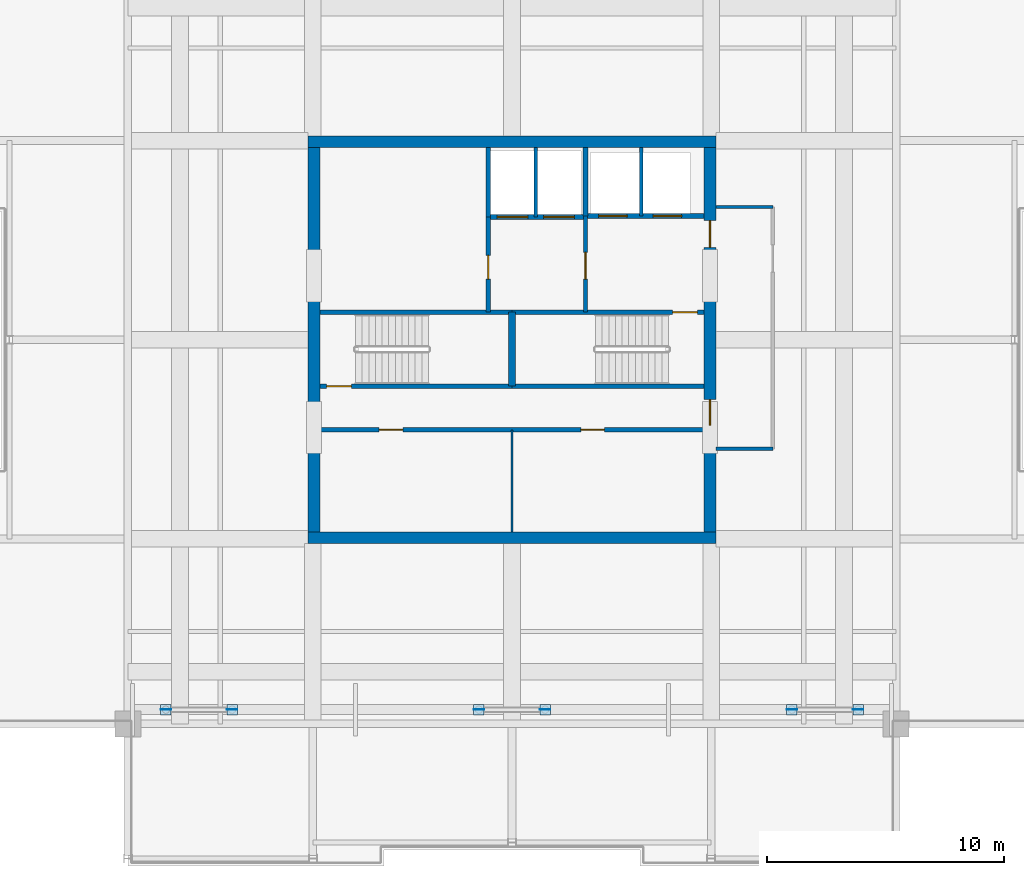
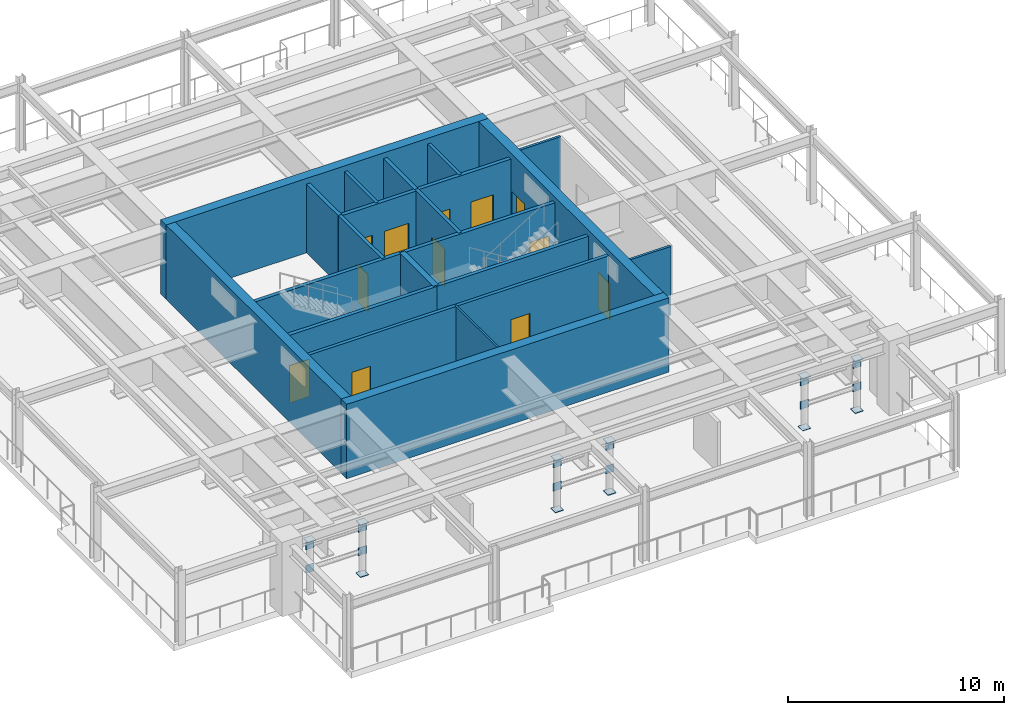
# One storey, part 8 of 12: 23 plates, 21 walls, 12 doors, 12 openings.
"""IFC4 building model written with IfcOpenShell, lengths in metres."""

from ifc_helpers import new_model, si_unit, direction, frame, frame_2d, origin, origin_2d, place, context, subcontext, project, spatial, rectangle, extrude, material, layer, layer_set, type_object, element, fill, save


model = new_model("IFC4")

# Units and contexts
model_context = context("Model", 3, precision=1e-05, world=origin(), true_north=direction((0.0, 1.0)))
body_context = subcontext(model_context, "Body", "Model", "MODEL_VIEW")
ifc_project = project(units=[si_unit("LENGTHUNIT", "METRE"), si_unit("AREAUNIT", "SQUARE_METRE"), si_unit("VOLUMEUNIT", "CUBIC_METRE"), si_unit("PLANEANGLEUNIT", "RADIAN"), si_unit("MASSUNIT", "GRAM", prefix="KILO")], contexts=[model_context])

# Site, building, storey
site_placement = place(None, origin())
site = spatial("IfcSite", under=ifc_project, at=site_placement, CompositionType="ELEMENT")
building_placement = place(site_placement, origin())
building = spatial("IfcBuilding", under=site, at=building_placement, Name="Drelvath Grand Hotel", CompositionType="ELEMENT")
storey_placement = place(building_placement, frame((0.0, 0.0, 307.199951171875)))
storey = spatial("IfcBuildingStorey", under=building, at=storey_placement, Name="L80", CompositionType="ELEMENT", Elevation=307.199951171875)

# Plates
ifc_material_1 = material(Name="Steel ASTM A572 Gr 50", Category="steel")
ifc_layer_1 = layer(ifc_material_1, 0.02490234375)
ifc_layer_set_1 = layer_set([ifc_layer_1], Name="Steel ASTM A572 Gr 50")
plate_type = type_object("IfcPlateType", Name="Hollow Section End Cap Plate 25mm", PredefinedType="SHEET", material=ifc_layer_set_1)
for number, where, z_axis, x_axis, name in (
    (1, (-14.60009765625, 11.39990234375, 1.0966796875), (0.0, 0.0, 1.0), (1.0, 0.0, 0.0), "L80 Wind Turbine Hub Node Plate WT-1-L"),
    (2, (-14.60009765625, 11.39990234375, 2.41357421875), (0.0, 0.0, 1.0), (1.0, 0.0, 0.0), "L80 Wind Turbine Ring Node Plate WT-1-L"),
):
    element("IfcPlate", number, at=place(storey_placement, frame(where, z_axis=z_axis, x_axis=x_axis)), inside=storey, type_object=plate_type, Name=name, PredefinedType="SHEET", context=body_context, shape_type="SweptSolid", body=[
        extrude(rectangle(XDim=0.43994140625, YDim=0.02490234375, at=origin_2d()), origin(), (0.0, 0.0, 1.0), 0.43994140625),
    ])
for number, where, z_axis, x_axis, name in (
    (3, (-14.60009765625, 11.39990234375, 2.926025390625), (0.0, 0.0, 1.0), (1.0, 0.0, 0.0), "L80 Wind Turbine Post Cap WT-1-L"),
    (4, (-11.800048828125, 11.39990234375, 0.002685546875), (0.0, 0.0, 1.0), (1.0, 0.0, 0.0), "L80 Wind Turbine Pedestal Base Plate WT-1-R"),
):
    element("IfcPlate", number, at=place(storey_placement, frame(where, z_axis=z_axis, x_axis=x_axis)), inside=storey, type_object=plate_type, Name=name, PredefinedType="SHEET", context=body_context, shape_type="SweptSolid", body=[
        extrude(rectangle(XDim=0.43994140625, YDim=0.43994140625, at=origin_2d()), origin(), (0.0, 0.0, 1.0), 0.02490234375),
    ])
for number, where, z_axis, x_axis, name in (
    (5, (-11.800048828125, 11.39990234375, 1.0966796875), (0.0, 0.0, 1.0), (1.0, 0.0, 0.0), "L80 Wind Turbine Hub Node Plate WT-1-R"),
    (6, (-11.800048828125, 11.39990234375, 2.41357421875), (0.0, 0.0, 1.0), (1.0, 0.0, 0.0), "L80 Wind Turbine Ring Node Plate WT-1-R"),
):
    element("IfcPlate", number, at=place(storey_placement, frame(where, z_axis=z_axis, x_axis=x_axis)), inside=storey, type_object=plate_type, Name=name, PredefinedType="SHEET", context=body_context, shape_type="SweptSolid", body=[
        extrude(rectangle(XDim=0.43994140625, YDim=0.02490234375, at=origin_2d()), origin(), (0.0, 0.0, 1.0), 0.43994140625),
    ])
for number, where, z_axis, x_axis, name in (
    (7, (-11.800048828125, 11.39990234375, 2.926025390625), (0.0, 0.0, 1.0), (1.0, 0.0, 0.0), "L80 Wind Turbine Post Cap WT-1-R"),
    (8, (-1.39990234375, 11.39990234375, 0.002685546875), (0.0, 0.0, 1.0), (1.0, 0.0, 0.0), "L80 Wind Turbine Pedestal Base Plate WT-2-L"),
):
    element("IfcPlate", number, at=place(storey_placement, frame(where, z_axis=z_axis, x_axis=x_axis)), inside=storey, type_object=plate_type, Name=name, PredefinedType="SHEET", context=body_context, shape_type="SweptSolid", body=[
        extrude(rectangle(XDim=0.43994140625, YDim=0.43994140625, at=origin_2d()), origin(), (0.0, 0.0, 1.0), 0.02490234375),
    ])
for number, where, z_axis, x_axis, name in (
    (9, (-1.39990234375, 11.39990234375, 1.0966796875), (0.0, 0.0, 1.0), (1.0, 0.0, 0.0), "L80 Wind Turbine Hub Node Plate WT-2-L"),
    (10, (-1.39990234375, 11.39990234375, 2.41357421875), (0.0, 0.0, 1.0), (1.0, 0.0, 0.0), "L80 Wind Turbine Ring Node Plate WT-2-L"),
):
    element("IfcPlate", number, at=place(storey_placement, frame(where, z_axis=z_axis, x_axis=x_axis)), inside=storey, type_object=plate_type, Name=name, PredefinedType="SHEET", context=body_context, shape_type="SweptSolid", body=[
        extrude(rectangle(XDim=0.43994140625, YDim=0.02490234375, at=origin_2d()), origin(), (0.0, 0.0, 1.0), 0.43994140625),
    ])
for number, where, z_axis, x_axis, name in (
    (11, (-1.39990234375, 11.39990234375, 2.926025390625), (0.0, 0.0, 1.0), (1.0, 0.0, 0.0), "L80 Wind Turbine Post Cap WT-2-L"),
    (12, (1.39990234375, 11.39990234375, 0.002685546875), (0.0, 0.0, 1.0), (1.0, 0.0, 0.0), "L80 Wind Turbine Pedestal Base Plate WT-2-R"),
):
    element("IfcPlate", number, at=place(storey_placement, frame(where, z_axis=z_axis, x_axis=x_axis)), inside=storey, type_object=plate_type, Name=name, PredefinedType="SHEET", context=body_context, shape_type="SweptSolid", body=[
        extrude(rectangle(XDim=0.43994140625, YDim=0.43994140625, at=origin_2d()), origin(), (0.0, 0.0, 1.0), 0.02490234375),
    ])
for number, where, z_axis, x_axis, name in (
    (13, (1.39990234375, 11.39990234375, 1.0966796875), (0.0, 0.0, 1.0), (1.0, 0.0, 0.0), "L80 Wind Turbine Hub Node Plate WT-2-R"),
    (14, (1.39990234375, 11.39990234375, 2.41357421875), (0.0, 0.0, 1.0), (1.0, 0.0, 0.0), "L80 Wind Turbine Ring Node Plate WT-2-R"),
):
    element("IfcPlate", number, at=place(storey_placement, frame(where, z_axis=z_axis, x_axis=x_axis)), inside=storey, type_object=plate_type, Name=name, PredefinedType="SHEET", context=body_context, shape_type="SweptSolid", body=[
        extrude(rectangle(XDim=0.43994140625, YDim=0.02490234375, at=origin_2d()), origin(), (0.0, 0.0, 1.0), 0.43994140625),
    ])
for number, where, z_axis, x_axis, name in (
    (15, (1.39990234375, 11.39990234375, 2.926025390625), (0.0, 0.0, 1.0), (1.0, 0.0, 0.0), "L80 Wind Turbine Post Cap WT-2-R"),
    (16, (11.800048828125, 11.39990234375, 0.002685546875), (0.0, 0.0, 1.0), (1.0, 0.0, 0.0), "L80 Wind Turbine Pedestal Base Plate WT-3-L"),
):
    element("IfcPlate", number, at=place(storey_placement, frame(where, z_axis=z_axis, x_axis=x_axis)), inside=storey, type_object=plate_type, Name=name, PredefinedType="SHEET", context=body_context, shape_type="SweptSolid", body=[
        extrude(rectangle(XDim=0.43994140625, YDim=0.43994140625, at=origin_2d()), origin(), (0.0, 0.0, 1.0), 0.02490234375),
    ])
for number, where, z_axis, x_axis, name in (
    (17, (11.800048828125, 11.39990234375, 1.0966796875), (0.0, 0.0, 1.0), (1.0, 0.0, 0.0), "L80 Wind Turbine Hub Node Plate WT-3-L"),
    (18, (11.800048828125, 11.39990234375, 2.41357421875), (0.0, 0.0, 1.0), (1.0, 0.0, 0.0), "L80 Wind Turbine Ring Node Plate WT-3-L"),
):
    element("IfcPlate", number, at=place(storey_placement, frame(where, z_axis=z_axis, x_axis=x_axis)), inside=storey, type_object=plate_type, Name=name, PredefinedType="SHEET", context=body_context, shape_type="SweptSolid", body=[
        extrude(rectangle(XDim=0.43994140625, YDim=0.02490234375, at=origin_2d()), origin(), (0.0, 0.0, 1.0), 0.43994140625),
    ])
for number, where, z_axis, x_axis, name in (
    (19, (11.800048828125, 11.39990234375, 2.926025390625), (0.0, 0.0, 1.0), (1.0, 0.0, 0.0), "L80 Wind Turbine Post Cap WT-3-L"),
    (20, (14.60009765625, 11.39990234375, 0.002685546875), (0.0, 0.0, 1.0), (1.0, 0.0, 0.0), "L80 Wind Turbine Pedestal Base Plate WT-3-R"),
):
    element("IfcPlate", number, at=place(storey_placement, frame(where, z_axis=z_axis, x_axis=x_axis)), inside=storey, type_object=plate_type, Name=name, PredefinedType="SHEET", context=body_context, shape_type="SweptSolid", body=[
        extrude(rectangle(XDim=0.43994140625, YDim=0.43994140625, at=origin_2d()), origin(), (0.0, 0.0, 1.0), 0.02490234375),
    ])
for number, where, z_axis, x_axis, name in (
    (21, (14.60009765625, 11.39990234375, 1.0966796875), (0.0, 0.0, 1.0), (1.0, 0.0, 0.0), "L80 Wind Turbine Hub Node Plate WT-3-R"),
    (22, (14.60009765625, 11.39990234375, 2.41357421875), (0.0, 0.0, 1.0), (1.0, 0.0, 0.0), "L80 Wind Turbine Ring Node Plate WT-3-R"),
):
    element("IfcPlate", number, at=place(storey_placement, frame(where, z_axis=z_axis, x_axis=x_axis)), inside=storey, type_object=plate_type, Name=name, PredefinedType="SHEET", context=body_context, shape_type="SweptSolid", body=[
        extrude(rectangle(XDim=0.43994140625, YDim=0.02490234375, at=origin_2d()), origin(), (0.0, 0.0, 1.0), 0.43994140625),
    ])
plate_placement = place(storey_placement, frame((14.60009765625, 11.39990234375, 2.926025390625), z_axis=(0.0, 0.0, 1.0), x_axis=(1.0, 0.0, 0.0)))
element("IfcPlate", 23, at=plate_placement, inside=storey, type_object=plate_type, Name="L80 Wind Turbine Post Cap WT-3-R", PredefinedType="SHEET", context=body_context, shape_type="SweptSolid", body=[
    extrude(rectangle(XDim=0.43994140625, YDim=0.43994140625, at=origin_2d()), origin(), (0.0, 0.0, 1.0), 0.02490234375),
])

# Wall
ifc_material_2 = material(Name="Gypsum Partition Board")
ifc_layer_2 = layer(ifc_material_2, 0.10009765625)
ifc_layer_set_2 = layer_set([ifc_layer_2], Name="Gypsum Partition Board")
wall_type_1 = type_object("IfcWallType", Name="Core Closet Partition 100", PredefinedType="PARTITIONING", material=ifc_layer_set_2)
wall_1_placement = place(storey_placement, frame((0.0, 18.89990234375, 0.0), z_axis=(0.0, 0.0, 1.0), x_axis=(0.0, 1.0, 0.0)))
element("IfcWall", 24, at=wall_1_placement, inside=storey, type_object=wall_type_1, Name="L80 Crown Core Split", PredefinedType="PARTITIONING", context=body_context, shape_type="SweptSolid", body=[
    extrude(rectangle(XDim=4.300048828125, YDim=0.10009765625, at=frame_2d((2.14990234375, 0.0))), origin(), (0.0, 0.0, 1.0), 3.880126953125),
])

# Wall, openings, doors
ifc_material_3 = material(Name="Concrete C40/50", Category="concrete")
ifc_layer_3 = layer(ifc_material_3, 0.199951171875)
ifc_layer_set_3 = layer_set([ifc_layer_3], Name="Concrete C40/50")
wall_type_2 = type_object("IfcWallType", Name="Core Hoistway Fire Wall 200", PredefinedType="SOLIDWALL", material=ifc_layer_set_3)
wall_2_placement = place(storey_placement, frame((3.10009765625, 32.219970703125, 0.0), z_axis=(0.0, 0.0, 1.0), x_axis=(1.0, 0.0, 0.0)))
wall_2 = element("IfcWall", 25, at=wall_2_placement, inside=storey, type_object=wall_type_2, Name="L80 FSAE Hoistway Front Wall", PredefinedType="SOLIDWALL", context=body_context, shape_type="SweptSolid", body=[
    extrude(rectangle(XDim=5.0, YDim=0.199951171875, at=frame_2d((2.5, 0.0))), origin(), (0.0, 0.0, 1.0), 3.880126953125),
])
opening_1_placement = place(wall_2_placement, frame((0.550048828125, 0.0, 0.0)))
opening_1 = element("IfcOpeningElement", 26, at=opening_1_placement, cuts=wall_2, Name="Opening LD-FSAE-1", PredefinedType="OPENING", context=body_context, shape_type="SweptSolid", body=[
    extrude(rectangle(XDim=1.199951171875, YDim=2.199951171875, at=frame_2d((0.60009765625, 1.10009765625))), frame((0.0, 0.10986328125, 0.0), z_axis=(0.0, -1.0, 0.0), x_axis=(1.0, 0.0, 0.0)), (0.0, 0.0, 1.0), 0.219970703125),
])
opening_2_placement = place(wall_2_placement, frame((2.85009765625, 0.0, 0.0)))
opening_2 = element("IfcOpeningElement", 27, at=opening_2_placement, cuts=wall_2, Name="Opening LD-FSAE-2", PredefinedType="OPENING", context=body_context, shape_type="SweptSolid", body=[
    extrude(rectangle(XDim=1.199951171875, YDim=2.199951171875, at=frame_2d((0.60009765625, 1.10009765625))), frame((0.0, 0.10986328125, 0.0), z_axis=(0.0, -1.0, 0.0), x_axis=(1.0, 0.0, 0.0)), (0.0, 0.0, 1.0), 0.219970703125),
])
ifc_material_4 = material(Name="Stainless Steel S355", Category="steel")
door_type_1 = type_object("IfcDoorType", Name="FSAE Lift Sliding Landing Door 1200x2200", OperationType="NOTDEFINED", PredefinedType="DOOR", material=ifc_material_4)
door_1_placement = place(opening_1_placement, origin())
door_1 = element("IfcDoor", 28, at=door_1_placement, inside=storey, type_object=door_type_1, Name="L80 Lift FSAE-1 Landing Door", OperationType="SLIDING_TO_LEFT", OverallHeight=2.199951171875, OverallWidth=1.199951171875, PredefinedType="DOOR", context=body_context, shape_type="SweptSolid", body=[
    extrude(rectangle(XDim=1.199951171875, YDim=2.199951171875, at=frame_2d((0.60009765625, 1.10009765625))), frame((0.0, 0.02490234375, 0.0), z_axis=(0.0, -1.0, 0.0), x_axis=(1.0, 0.0, 0.0)), (0.0, 0.0, 1.0), 0.050048828125),
])
fill(opening_1, door_1)
door_2_placement = place(opening_2_placement, origin())
door_2 = element("IfcDoor", 29, at=door_2_placement, inside=storey, type_object=door_type_1, Name="L80 Lift FSAE-2 Landing Door", OperationType="SLIDING_TO_LEFT", OverallHeight=2.199951171875, OverallWidth=1.199951171875, PredefinedType="DOOR", context=body_context, shape_type="SweptSolid", body=[
    extrude(rectangle(XDim=1.199951171875, YDim=2.199951171875, at=frame_2d((0.60009765625, 1.10009765625))), frame((0.0, 0.02490234375, 0.0), z_axis=(0.0, -1.0, 0.0), x_axis=(1.0, 0.0, 0.0)), (0.0, 0.0, 1.0), 0.050048828125),
])
fill(opening_2, door_2)

# Wall
wall_3_placement = place(storey_placement, frame((3.10009765625, 32.219970703125, 0.0), z_axis=(0.0, 0.0, 1.0), x_axis=(0.0, 1.0, 0.0)))
element("IfcWall", 30, at=wall_3_placement, inside=storey, type_object=wall_type_2, Name="L80 FSAE Hoistway West Wall", PredefinedType="SOLIDWALL", context=body_context, shape_type="SweptSolid", body=[
    extrude(rectangle(XDim=2.880126953125, YDim=0.199951171875, at=frame_2d((1.43994140625, 0.0))), origin(), (0.0, 0.0, 1.0), 3.880126953125),
])

# Wall, openings, doors
wall_4_placement = place(storey_placement, frame((-1.0, 32.179931640625, 0.0), z_axis=(0.0, 0.0, 1.0), x_axis=(1.0, 0.0, 0.0)))
wall_4 = element("IfcWall", 31, at=wall_4_placement, inside=storey, type_object=wall_type_2, Name="L80 Service Lift Hoistway Wall", PredefinedType="SOLIDWALL", context=body_context, shape_type="SweptSolid", body=[
    extrude(rectangle(XDim=4.10009765625, YDim=0.199951171875, at=frame_2d((2.050048828125, 0.0))), origin(), (0.0, 0.0, 1.0), 3.880126953125),
])
opening_3_placement = place(wall_4_placement, frame((0.3701171875, 0.0, 0.0)))
opening_3 = element("IfcOpeningElement", 32, at=opening_3_placement, cuts=wall_4, Name="Opening LD-SV-2", PredefinedType="OPENING", context=body_context, shape_type="SweptSolid", body=[
    extrude(rectangle(XDim=1.300048828125, YDim=2.199951171875, at=frame_2d((0.64990234375, 1.10009765625))), frame((0.0, 0.10986328125, 0.0), z_axis=(0.0, -1.0, 0.0), x_axis=(1.0, 0.0, 0.0)), (0.0, 0.0, 1.0), 0.219970703125),
])
opening_4_placement = place(wall_4_placement, frame((2.330078125, 0.0, 0.0)))
opening_4 = element("IfcOpeningElement", 33, at=opening_4_placement, cuts=wall_4, Name="Opening LD-SV-1", PredefinedType="OPENING", context=body_context, shape_type="SweptSolid", body=[
    extrude(rectangle(XDim=1.300048828125, YDim=2.199951171875, at=frame_2d((0.64990234375, 1.10009765625))), frame((0.0, 0.10986328125, 0.0), z_axis=(0.0, -1.0, 0.0), x_axis=(1.0, 0.0, 0.0)), (0.0, 0.0, 1.0), 0.219970703125),
])
door_type_2 = type_object("IfcDoorType", Name="Service Lift Sliding Landing Door 1300x2200", OperationType="NOTDEFINED", PredefinedType="DOOR", material=ifc_material_4)
door_3_placement = place(opening_3_placement, origin())
door_3 = element("IfcDoor", 34, at=door_3_placement, inside=storey, type_object=door_type_2, Name="L80 Lift SV-2 Landing Door", OperationType="SLIDING_TO_LEFT", OverallHeight=2.199951171875, OverallWidth=1.300048828125, PredefinedType="DOOR", context=body_context, shape_type="SweptSolid", body=[
    extrude(rectangle(XDim=1.300048828125, YDim=2.199951171875, at=frame_2d((0.64990234375, 1.10009765625))), frame((0.0, 0.02490234375, 0.0), z_axis=(0.0, -1.0, 0.0), x_axis=(1.0, 0.0, 0.0)), (0.0, 0.0, 1.0), 0.050048828125),
])
fill(opening_3, door_3)
door_4_placement = place(opening_4_placement, origin())
door_4 = element("IfcDoor", 35, at=door_4_placement, inside=storey, type_object=door_type_2, Name="L80 Lift SV-1 Landing Door", OperationType="SLIDING_TO_LEFT", OverallHeight=2.199951171875, OverallWidth=1.300048828125, PredefinedType="DOOR", context=body_context, shape_type="SweptSolid", body=[
    extrude(rectangle(XDim=1.300048828125, YDim=2.199951171875, at=frame_2d((0.64990234375, 1.10009765625))), frame((0.0, 0.02490234375, 0.0), z_axis=(0.0, -1.0, 0.0), x_axis=(1.0, 0.0, 0.0)), (0.0, 0.0, 1.0), 0.050048828125),
])
fill(opening_4, door_4)

# Wall
wall_5_placement = place(storey_placement, frame((-1.0, 32.179931640625, 0.0), z_axis=(0.0, 0.0, 1.0), x_axis=(0.0, 1.0, 0.0)))
element("IfcWall", 36, at=wall_5_placement, inside=storey, type_object=wall_type_2, Name="L80 Service Lift West Wall", PredefinedType="SOLIDWALL", context=body_context, shape_type="SweptSolid", body=[
    extrude(rectangle(XDim=2.920166015625, YDim=0.199951171875, at=frame_2d((1.4599609375, 0.0))), origin(), (0.0, 0.0, 1.0), 3.880126953125),
])

# Wall, opening, door
ifc_layer_4 = layer(ifc_material_3, 0.199951171875)
ifc_layer_set_4 = layer_set([ifc_layer_4], Name="Concrete C40/50")
wall_type_3 = type_object("IfcWallType", Name="Core Shaft Fire Wall 200", PredefinedType="SOLIDWALL", material=ifc_layer_set_4)
wall_6_placement = place(storey_placement, frame((-8.10009765625, 25.0400390625, 0.0), z_axis=(0.0, 0.0, 1.0), x_axis=(1.0, 0.0, 0.0)))
wall_6 = element("IfcWall", 37, at=wall_6_placement, inside=storey, type_object=wall_type_3, Name="L80 Stair ST-1 South Wall", PredefinedType="SOLIDWALL", context=body_context, shape_type="SweptSolid", body=[
    extrude(rectangle(XDim=8.10009765625, YDim=0.199951171875, at=frame_2d((4.050048828125, 0.0))), origin(), (0.0, 0.0, 1.0), 3.880126953125),
])
opening_5_placement = place(wall_6_placement, frame((0.280029296875, 0.0, 0.0)))
opening_5 = element("IfcOpeningElement", 38, at=opening_5_placement, cuts=wall_6, Name="Opening D-L80-001", PredefinedType="OPENING", context=body_context, shape_type="SweptSolid", body=[
    extrude(rectangle(XDim=1.050048828125, YDim=2.10009765625, at=frame_2d((0.52490234375, 1.050048828125))), frame((0.0, 0.10986328125, 0.0), z_axis=(0.0, -1.0, 0.0), x_axis=(1.0, 0.0, 0.0)), (0.0, 0.0, 1.0), 0.219970703125),
])
ifc_material_5 = material(Name="Painted Steel S275", Category="steel")
door_type_3 = type_object("IfcDoorType", Name="Tower Stairwell Fire Door 1050x2100", OperationType="NOTDEFINED", PredefinedType="DOOR", material=ifc_material_5)
door_5_placement = place(opening_5_placement, origin())
door_5 = element("IfcDoor", 39, at=door_5_placement, inside=storey, type_object=door_type_3, Name="L80 Exit Stair ST-1 Door", OperationType="SINGLE_SWING_LEFT", OverallHeight=2.10009765625, OverallWidth=1.050048828125, PredefinedType="DOOR", context=body_context, shape_type="SweptSolid", body=[
    extrude(rectangle(XDim=1.050048828125, YDim=2.10009765625, at=frame_2d((0.52490234375, 1.050048828125))), frame((0.0, 0.02490234375, 0.0), z_axis=(0.0, -1.0, 0.0), x_axis=(1.0, 0.0, 0.0)), (0.0, 0.0, 1.0), 0.050048828125),
])
fill(opening_5, door_5)

# Walls
for number, where, z_axis, x_axis, name in (
    (40, (-8.10009765625, 28.159912109375, 0.0), (0.0, 0.0, 1.0), (1.0, 0.0, 0.0), "L80 Stair ST-1 North Wall"),
    (41, (0.0, 25.0400390625, 0.0), (0.0, 0.0, 1.0), (1.0, 0.0, 0.0), "L80 Stair ST-2 South Wall"),
):
    element("IfcWall", number, at=place(storey_placement, frame(where, z_axis=z_axis, x_axis=x_axis)), inside=storey, type_object=wall_type_3, Name=name, PredefinedType="SOLIDWALL", context=body_context, shape_type="SweptSolid", body=[
        extrude(rectangle(XDim=8.10009765625, YDim=0.199951171875, at=frame_2d((4.050048828125, 0.0))), origin(), (0.0, 0.0, 1.0), 3.880126953125),
    ])

# Wall, opening, door
wall_7_placement = place(storey_placement, frame((8.10009765625, 28.159912109375, 0.0), z_axis=(0.0, 0.0, 1.0), x_axis=(-1.0, 0.0, 0.0)))
wall_7 = element("IfcWall", 42, at=wall_7_placement, inside=storey, type_object=wall_type_3, Name="L80 Stair ST-2 North Wall", PredefinedType="SOLIDWALL", context=body_context, shape_type="SweptSolid", body=[
    extrude(rectangle(XDim=8.10009765625, YDim=0.199951171875, at=frame_2d((4.050048828125, 0.0))), origin(), (0.0, 0.0, 1.0), 3.880126953125),
])
opening_6_placement = place(wall_7_placement, frame((0.280029296875, 0.0, 0.0)))
opening_6 = element("IfcOpeningElement", 43, at=opening_6_placement, cuts=wall_7, Name="Opening D-L80-002", PredefinedType="OPENING", context=body_context, shape_type="SweptSolid", body=[
    extrude(rectangle(XDim=1.050048828125, YDim=2.10009765625, at=frame_2d((0.52490234375, 1.050048828125))), frame((0.0, 0.10986328125, 0.0), z_axis=(0.0, -1.0, 0.0), x_axis=(1.0, 0.0, 0.0)), (0.0, 0.0, 1.0), 0.219970703125),
])
door_6_placement = place(opening_6_placement, origin())
door_6 = element("IfcDoor", 44, at=door_6_placement, inside=storey, type_object=door_type_3, Name="L80 Exit Stair ST-2 Door", OperationType="SINGLE_SWING_LEFT", OverallHeight=2.10009765625, OverallWidth=1.050048828125, PredefinedType="DOOR", context=body_context, shape_type="SweptSolid", body=[
    extrude(rectangle(XDim=1.050048828125, YDim=2.10009765625, at=frame_2d((0.52490234375, 1.050048828125))), frame((0.0, 0.02490234375, 0.0), z_axis=(0.0, -1.0, 0.0), x_axis=(1.0, 0.0, 0.0)), (0.0, 0.0, 1.0), 0.050048828125),
])
fill(opening_6, door_6)

# Walls
ifc_layer_5 = layer(ifc_material_3, 0.300048828125)
ifc_layer_set_5 = layer_set([ifc_layer_5], Name="Concrete C40/50")
wall_type_4 = type_object("IfcWallType", Name="Core Shaft Fire Wall 300", PredefinedType="SOLIDWALL", material=ifc_layer_set_5)
wall_8_placement = place(storey_placement, frame((0.0, 25.0400390625, 0.0), z_axis=(0.0, 0.0, 1.0), x_axis=(0.0, 1.0, 0.0)))
element("IfcWall", 45, at=wall_8_placement, inside=storey, type_object=wall_type_4, Name="L80 Core Stair Divider Wall", PredefinedType="SOLIDWALL", context=body_context, shape_type="SweptSolid", body=[
    extrude(rectangle(XDim=3.119873046875, YDim=0.300048828125, at=frame_2d((1.56005859375, 0.0))), origin(), (0.0, 0.0, 1.0), 3.880126953125),
])
ifc_material_6 = material(Name="Gypsum Fireboard Partition")
ifc_layer_6 = layer(ifc_material_6, 0.1650390625)
ifc_layer_set_6 = layer_set([ifc_layer_6], Name="Gypsum Fireboard Partition")
wall_type_5 = type_object("IfcWallType", Name="Core Shaft Partition 165", PredefinedType="PARTITIONING", material=ifc_layer_set_6)
wall_9_placement = place(storey_placement, frame((5.449951171875, 32.219970703125, 0.0), z_axis=(0.0, 0.0, 1.0), x_axis=(0.0, 1.0, 0.0)))
element("IfcWall", 46, at=wall_9_placement, inside=storey, type_object=wall_type_5, Name="L80 FSAE Hoistway Divider", PredefinedType="PARTITIONING", context=body_context, shape_type="SweptSolid", body=[
    extrude(rectangle(XDim=2.880126953125, YDim=0.1650390625, at=frame_2d((1.43994140625, 0.0))), origin(), (0.0, 0.0, 1.0), 3.880126953125),
])
wall_10_placement = place(storey_placement, frame((1.0, 32.179931640625, 0.0), z_axis=(0.0, 0.0, 1.0), x_axis=(0.0, 1.0, 0.0)))
element("IfcWall", 47, at=wall_10_placement, inside=storey, type_object=wall_type_5, Name="L80 Service Lift Divider", PredefinedType="PARTITIONING", context=body_context, shape_type="SweptSolid", body=[
    extrude(rectangle(XDim=2.920166015625, YDim=0.1650390625, at=frame_2d((1.4599609375, 0.0))), origin(), (0.0, 0.0, 1.0), 3.880126953125),
])
ifc_layer_7 = layer(ifc_material_6, 0.135009765625)
ifc_layer_set_7 = layer_set([ifc_layer_7], Name="Gypsum Fireboard Partition")
wall_type_6 = type_object("IfcWallType", Name="Corridor Fire Barrier Wall 135", PredefinedType="PARTITIONING", material=ifc_layer_set_7)
for number, where, z_axis, x_axis, name in (
    (48, (8.60009765625, 22.39990234375, 0.0), (0.0, 0.0, 1.0), (1.0, 0.0, 0.0), "L80 Turbine Vestibule South Wall"),
    (49, (8.60009765625, 32.60009765625, 0.0), (0.0, 0.0, 1.0), (1.0, 0.0, 0.0), "L80 Turbine Vestibule North Wall"),
):
    element("IfcWall", number, at=place(storey_placement, frame(where, z_axis=z_axis, x_axis=x_axis)), inside=storey, type_object=wall_type_6, Name=name, PredefinedType="PARTITIONING", context=body_context, shape_type="SweptSolid", body=[
        extrude(rectangle(XDim=2.39990234375, YDim=0.135009765625, at=frame_2d((1.199951171875, 0.0))), origin(), (0.0, 0.0, 1.0), 3.880126953125),
    ])

# Wall, opening, door
ifc_layer_8 = layer(ifc_material_6, 0.179931640625)
ifc_layer_set_8 = layer_set([ifc_layer_8], Name="Gypsum Fireboard Partition")
wall_type_7 = type_object("IfcWallType", Name="FSAE Smoke Lobby Fire Wall 180", PredefinedType="SOLIDWALL", material=ifc_layer_set_8)
wall_11_placement = place(storey_placement, frame((3.10009765625, 28.159912109375, 0.0), z_axis=(0.0, 0.0, 1.0), x_axis=(0.0, 1.0, 0.0)))
wall_11 = element("IfcWall", 50, at=wall_11_placement, inside=storey, type_object=wall_type_7, Name="L80 FSAE Smoke Lobby West Wall", PredefinedType="SOLIDWALL", context=body_context, shape_type="SweptSolid", body=[
    extrude(rectangle(XDim=4.06005859375, YDim=0.179931640625, at=frame_2d((2.030029296875, 0.0))), origin(), (0.0, 0.0, 1.0), 3.880126953125),
])
opening_7_placement = place(wall_11_placement, frame((1.39990234375, 0.0, 0.0)))
opening_7 = element("IfcOpeningElement", 51, at=opening_7_placement, cuts=wall_11, Name="Opening D-L80-005", PredefinedType="OPENING", context=body_context, shape_type="SweptSolid", body=[
    extrude(rectangle(XDim=1.1201171875, YDim=2.10009765625, at=frame_2d((0.56005859375, 1.050048828125))), frame((0.0, 0.099853515625, 0.0), z_axis=(0.0, -1.0, 0.0), x_axis=(1.0, 0.0, 0.0)), (0.0, 0.0, 1.0), 0.199951171875),
])
door_type_4 = type_object("IfcDoorType", Name="FSAE Smoke Lobby Fire Door 1120x2100", OperationType="NOTDEFINED", PredefinedType="DOOR", material=ifc_material_5)
door_7_placement = place(opening_7_placement, origin())
door_7 = element("IfcDoor", 52, at=door_7_placement, inside=storey, type_object=door_type_4, Name="L80 FSAE Lobby Service Vestibule Door", OperationType="SINGLE_SWING_RIGHT", OverallHeight=2.10009765625, OverallWidth=1.1201171875, PredefinedType="DOOR", context=body_context, shape_type="SweptSolid", body=[
    extrude(rectangle(XDim=1.1201171875, YDim=2.10009765625, at=frame_2d((0.56005859375, 1.050048828125))), frame((0.0, 0.02490234375, 0.0), z_axis=(0.0, -1.0, 0.0), x_axis=(1.0, 0.0, 0.0)), (0.0, 0.0, 1.0), 0.050048828125),
])
fill(opening_7, door_7)

wall_12_placement = place(storey_placement, frame((-1.0, 28.159912109375, 0.0), z_axis=(0.0, 0.0, 1.0), x_axis=(0.0, 1.0, 0.0)))
wall_12 = element("IfcWall", 53, at=wall_12_placement, inside=storey, type_object=wall_type_7, Name="L80 Service Vestibule West Wall", PredefinedType="SOLIDWALL", context=body_context, shape_type="SweptSolid", body=[
    extrude(rectangle(XDim=4.02001953125, YDim=0.179931640625, at=frame_2d((2.010009765625, 0.0))), origin(), (0.0, 0.0, 1.0), 3.880126953125),
])
opening_8_placement = place(wall_12_placement, frame((1.39990234375, 0.0, 0.0)))
opening_8 = element("IfcOpeningElement", 54, at=opening_8_placement, cuts=wall_12, Name="Opening D-L80-009", PredefinedType="OPENING", context=body_context, shape_type="SweptSolid", body=[
    extrude(rectangle(XDim=1.0, YDim=2.10009765625, at=frame_2d((0.5, 1.050048828125))), frame((0.0, 0.099853515625, 0.0), z_axis=(0.0, -1.0, 0.0), x_axis=(1.0, 0.0, 0.0)), (0.0, 0.0, 1.0), 0.199951171875),
])
door_type_5 = type_object("IfcDoorType", Name="Core Service Fire Door 1000x2100", OperationType="NOTDEFINED", PredefinedType="DOOR", material=ifc_material_5)
door_8_placement = place(opening_8_placement, origin())
door_8 = element("IfcDoor", 55, at=door_8_placement, inside=storey, type_object=door_type_5, Name="L80 Service Vestibule West Door", OperationType="SINGLE_SWING_LEFT", OverallHeight=2.10009765625, OverallWidth=1.0, PredefinedType="DOOR", context=body_context, shape_type="SweptSolid", body=[
    extrude(rectangle(XDim=1.0, YDim=2.10009765625, at=frame_2d((0.5, 1.050048828125))), frame((0.0, 0.02490234375, 0.0), z_axis=(0.0, -1.0, 0.0), x_axis=(1.0, 0.0, 0.0)), (0.0, 0.0, 1.0), 0.050048828125),
])
fill(opening_8, door_8)

# Wall, openings, doors
wall_13_placement = place(storey_placement, frame((-8.10009765625, 23.199951171875, 0.0), z_axis=(0.0, 0.0, 1.0), x_axis=(1.0, 0.0, 0.0)))
wall_13 = element("IfcWall", 56, at=wall_13_placement, inside=storey, type_object=wall_type_7, Name="L80 Upper Reclaimed Core Wall", PredefinedType="SOLIDWALL", context=body_context, shape_type="SweptSolid", body=[
    extrude(rectangle(XDim=16.2001953125, YDim=0.179931640625, at=frame_2d((8.10009765625, 0.0))), origin(), (0.0, 0.0, 1.0), 3.880126953125),
])
opening_9_placement = place(wall_13_placement, frame((2.5, 0.0, 0.0)))
opening_9 = element("IfcOpeningElement", 57, at=opening_9_placement, cuts=wall_13, Name="Opening D-L80-011", PredefinedType="OPENING", context=body_context, shape_type="SweptSolid", body=[
    extrude(rectangle(XDim=1.0, YDim=2.10009765625, at=frame_2d((0.5, 1.050048828125))), frame((0.0, 0.099853515625, 0.0), z_axis=(0.0, -1.0, 0.0), x_axis=(1.0, 0.0, 0.0)), (0.0, 0.0, 1.0), 0.199951171875),
])
opening_10_placement = place(wall_13_placement, frame((11.0, 0.0, 0.0)))
opening_10 = element("IfcOpeningElement", 58, at=opening_10_placement, cuts=wall_13, Name="Opening D-L80-012", PredefinedType="OPENING", context=body_context, shape_type="SweptSolid", body=[
    extrude(rectangle(XDim=1.0, YDim=2.10009765625, at=frame_2d((0.5, 1.050048828125))), frame((0.0, 0.099853515625, 0.0), z_axis=(0.0, -1.0, 0.0), x_axis=(1.0, 0.0, 0.0)), (0.0, 0.0, 1.0), 0.199951171875),
])
door_9_placement = place(opening_9_placement, origin())
door_9 = element("IfcDoor", 59, at=door_9_placement, inside=storey, type_object=door_type_5, Name="L80 Switchroom Door", OperationType="SINGLE_SWING_LEFT", OverallHeight=2.10009765625, OverallWidth=1.0, PredefinedType="DOOR", context=body_context, shape_type="SweptSolid", body=[
    extrude(rectangle(XDim=1.0, YDim=2.10009765625, at=frame_2d((0.5, 1.050048828125))), frame((0.0, 0.02490234375, 0.0), z_axis=(0.0, -1.0, 0.0), x_axis=(1.0, 0.0, 0.0)), (0.0, 0.0, 1.0), 0.050048828125),
])
fill(opening_9, door_9)
door_10_placement = place(opening_10_placement, origin())
door_10 = element("IfcDoor", 60, at=door_10_placement, inside=storey, type_object=door_type_5, Name="L80 UPS Room Door", OperationType="SINGLE_SWING_RIGHT", OverallHeight=2.10009765625, OverallWidth=1.0, PredefinedType="DOOR", context=body_context, shape_type="SweptSolid", body=[
    extrude(rectangle(XDim=1.0, YDim=2.10009765625, at=frame_2d((0.5, 1.050048828125))), frame((0.0, 0.02490234375, 0.0), z_axis=(0.0, -1.0, 0.0), x_axis=(1.0, 0.0, 0.0)), (0.0, 0.0, 1.0), 0.050048828125),
])
fill(opening_10, door_10)

# Wall
ifc_material_7 = material(Name="Concrete f'c 55 MPa", Category="concrete")
ifc_layer_9 = layer(ifc_material_7, 0.5)
ifc_layer_set_9 = layer_set([ifc_layer_9], Name="Concrete f'c 55 MPa")
wall_type_8 = type_object("IfcWallType", Name="Upper Core RC Shear Wall 500", PredefinedType="SHEAR", material=ifc_layer_set_9)
wall_14_placement = place(storey_placement, frame((-8.60009765625, 35.35009765625, 0.0), z_axis=(0.0, 0.0, 1.0), x_axis=(1.0, 0.0, 0.0)))
element("IfcWall", 61, at=wall_14_placement, inside=storey, type_object=wall_type_8, Name="L80 Central Core Shear Wall N", PredefinedType="SHEAR", context=body_context, shape_type="SweptSolid", body=[
    extrude(rectangle(XDim=17.2001953125, YDim=0.5, at=frame_2d((8.60009765625, 0.0))), origin(), (0.0, 0.0, 1.0), 4.199951171875),
])

# Wall, openings, doors
wall_15_placement = place(storey_placement, frame((8.35009765625, 35.10009765625, 0.0), z_axis=(0.0, 0.0, 1.0), x_axis=(0.0, -1.0, 0.0)))
wall_15 = element("IfcWall", 62, at=wall_15_placement, inside=storey, type_object=wall_type_8, Name="L80 Central Core Shear Wall E", PredefinedType="SHEAR", context=body_context, shape_type="SweptSolid", body=[
    extrude(rectangle(XDim=16.2001953125, YDim=0.5, at=frame_2d((8.10009765625, 0.0))), origin(), (0.0, 0.0, 1.0), 4.199951171875),
])
opening_11_placement = place(wall_15_placement, frame((3.080078125, 0.0, 0.0)))
opening_11 = element("IfcOpeningElement", 63, at=opening_11_placement, cuts=wall_15, Name="Opening D-L80-006", PredefinedType="OPENING", context=body_context, shape_type="SweptSolid", body=[
    extrude(rectangle(XDim=1.1201171875, YDim=2.10009765625, at=frame_2d((0.56005859375, 1.050048828125))), frame((0.0, 0.260009765625, 0.0), z_axis=(0.0, -1.0, 0.0), x_axis=(1.0, 0.0, 0.0)), (0.0, 0.0, 1.0), 0.52001953125),
])
opening_12_placement = place(wall_15_placement, frame((10.6201171875, 0.0, 0.0)))
opening_12 = element("IfcOpeningElement", 64, at=opening_12_placement, cuts=wall_15, Name="Opening D-L80-010", PredefinedType="OPENING", context=body_context, shape_type="SweptSolid", body=[
    extrude(rectangle(XDim=1.080078125, YDim=2.0400390625, at=frame_2d((0.5400390625, 1.02001953125))), frame((0.0, 0.260009765625, 0.0), z_axis=(0.0, -1.0, 0.0), x_axis=(1.0, 0.0, 0.0)), (0.0, 0.0, 1.0), 0.52001953125),
])
door_type_6 = type_object("IfcDoorType", Name="Core Corridor Fire Door 1080x2100", OperationType="NOTDEFINED", PredefinedType="DOOR", material=ifc_material_5)
door_11_placement = place(opening_12_placement, origin())
door_11 = element("IfcDoor", 65, at=door_11_placement, inside=storey, type_object=door_type_6, Name="L80 Core Passage East Door", OperationType="SINGLE_SWING_RIGHT", OverallHeight=2.0400390625, OverallWidth=1.080078125, PredefinedType="DOOR", context=body_context, shape_type="SweptSolid", body=[
    extrude(rectangle(XDim=1.080078125, YDim=2.0400390625, at=frame_2d((0.5400390625, 1.02001953125))), frame((0.0, 0.02490234375, 0.0), z_axis=(0.0, -1.0, 0.0), x_axis=(1.0, 0.0, 0.0)), (0.0, 0.0, 1.0), 0.050048828125),
])
fill(opening_12, door_11)
door_12_placement = place(opening_11_placement, origin())
door_12 = element("IfcDoor", 66, at=door_12_placement, inside=storey, type_object=door_type_4, Name="L80 FSAE Lobby East Corridor Door", OperationType="SINGLE_SWING_LEFT", OverallHeight=2.10009765625, OverallWidth=1.1201171875, PredefinedType="DOOR", context=body_context, shape_type="SweptSolid", body=[
    extrude(rectangle(XDim=1.1201171875, YDim=2.10009765625, at=frame_2d((0.56005859375, 1.050048828125))), frame((0.0, 0.02490234375, 0.0), z_axis=(0.0, -1.0, 0.0), x_axis=(1.0, 0.0, 0.0)), (0.0, 0.0, 1.0), 0.050048828125),
])
fill(opening_11, door_12)

# Walls
wall_16_placement = place(storey_placement, frame((8.60009765625, 18.64990234375, 0.0), z_axis=(0.0, 0.0, 1.0), x_axis=(-1.0, 0.0, 0.0)))
element("IfcWall", 67, at=wall_16_placement, inside=storey, type_object=wall_type_8, Name="L80 Central Core Shear Wall S", PredefinedType="SHEAR", context=body_context, shape_type="SweptSolid", body=[
    extrude(rectangle(XDim=17.2001953125, YDim=0.5, at=frame_2d((8.60009765625, 0.0))), origin(), (0.0, 0.0, 1.0), 4.199951171875),
])
wall_17_placement = place(storey_placement, frame((-8.35009765625, 18.89990234375, 0.0), z_axis=(0.0, 0.0, 1.0), x_axis=(0.0, 1.0, 0.0)))
element("IfcWall", 68, at=wall_17_placement, inside=storey, type_object=wall_type_8, Name="L80 Central Core Shear Wall W", PredefinedType="SHEAR", context=body_context, shape_type="SweptSolid", body=[
    extrude(rectangle(XDim=16.2001953125, YDim=0.5, at=frame_2d((8.10009765625, 0.0))), origin(), (0.0, 0.0, 1.0), 4.199951171875),
])

save(model, "model.ifc")
